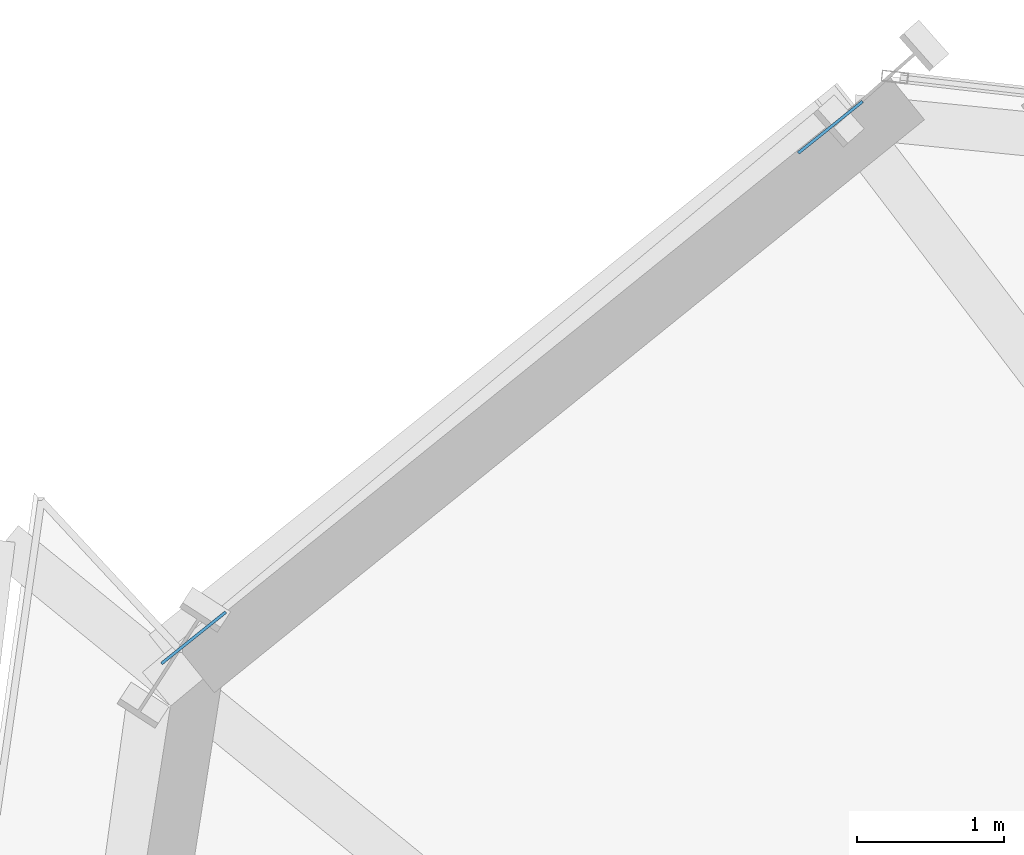
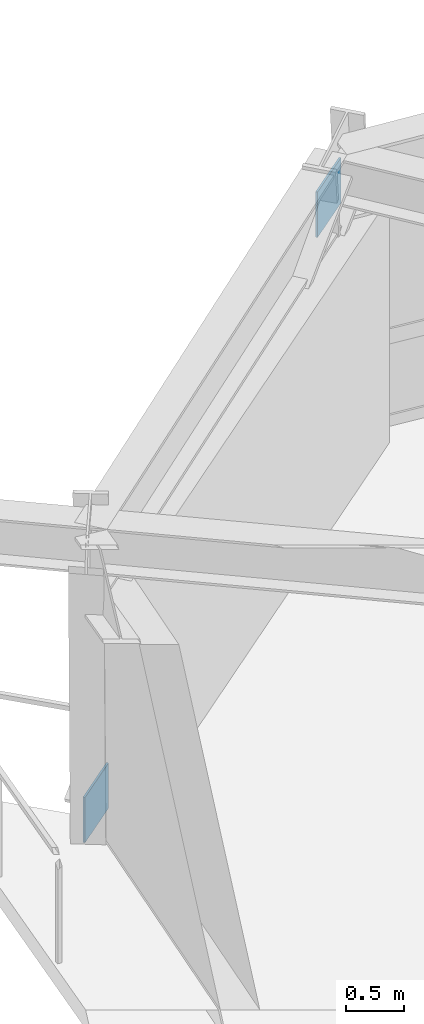
# One storey, part 14 of 22: 2 plates.
"""IFC4 building model written with IfcOpenShell, lengths in metres."""

from ifc_helpers import new_model, si_unit, direction, frame, origin, origin_2d, place, context, subcontext, project, spatial, rectangle, extrude, source, transform, mapped, material, type_object, element, save


model = new_model("IFC4")

# Units and contexts
model_context = context("Model", 3, precision=1e-05, world=origin(), true_north=direction((0.0, 1.0)))
body_context = subcontext(model_context, "Body", "Model", "MODEL_VIEW")
ifc_project = project(units=[si_unit("LENGTHUNIT", "METRE"), si_unit("AREAUNIT", "SQUARE_METRE"), si_unit("VOLUMEUNIT", "CUBIC_METRE"), si_unit("PLANEANGLEUNIT", "RADIAN"), si_unit("MASSUNIT", "GRAM", prefix="KILO")], contexts=[model_context])

# Site, building, storey
site_placement = place(None, origin())
site = spatial("IfcSite", under=ifc_project, at=site_placement, CompositionType="ELEMENT")
building_placement = place(site_placement, origin())
building = spatial("IfcBuilding", under=site, at=building_placement, Name="Olszyna Solenne Hotel", CompositionType="ELEMENT")
storey_placement = place(building_placement, frame((0.0, 0.0, 61.25)))
storey = spatial("IfcBuildingStorey", under=building, at=storey_placement, Name="L15", CompositionType="ELEMENT", Elevation=61.25)

# Plates
ifc_material = material(Name="Steel S355J2", Category="steel")
plate_type = type_object("IfcPlateType", Name="GP-ND2", PredefinedType="USERDEFINED", material=ifc_material)
shared_shape = source(origin(), body_context, "Body", "SweptSolid", [
    extrude(rectangle(XDim=0.56005859375, YDim=0.02001953125, at=origin_2d()), origin(), (0.0, 0.0, 1.0), 0.47998046875),
])
for number, where, z_axis, x_axis, name in (
    (1, (18.794921875, 42.455078125, -0.167236328125), (0.0, 0.0, 1.0), (0.780212108937, 0.625515039842, 0.0), "Brace end connection gusset plate GP-ND2 EP-BR-L15-2-1"),
    (2, (23.126220703125, 45.927978515625, 2.6123046875), (0.0, 0.0, 1.0), (0.780212108937, 0.625515039842, 0.0), "Brace end connection gusset plate GP-ND2 EP-BR-L15-2-2"),
):
    element("IfcPlate", number, at=place(storey_placement, frame(where, z_axis=z_axis, x_axis=x_axis)), inside=storey, type_object=plate_type, Name=name, ObjectType="GUSSET_PLATE", PredefinedType="USERDEFINED", context=body_context, shape_type="MappedRepresentation", body=[
        mapped(shared_shape, transform((0.0, 0.0, 0.0), x_axis=(1.0, 0.0, 0.0), y_axis=(0.0, 1.0, 0.0), z_axis=(0.0, 0.0, 1.0), scale=1.0)),
    ])

save(model, "model.ifc")
